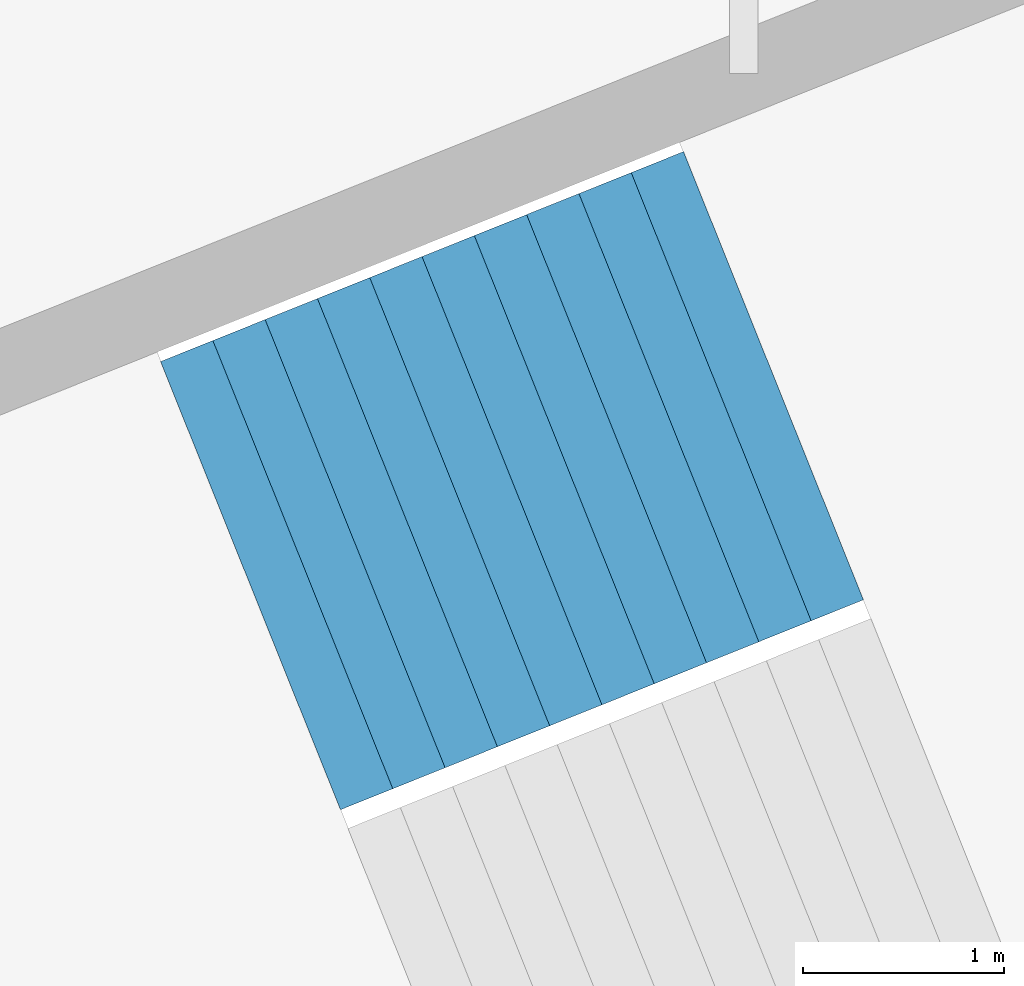
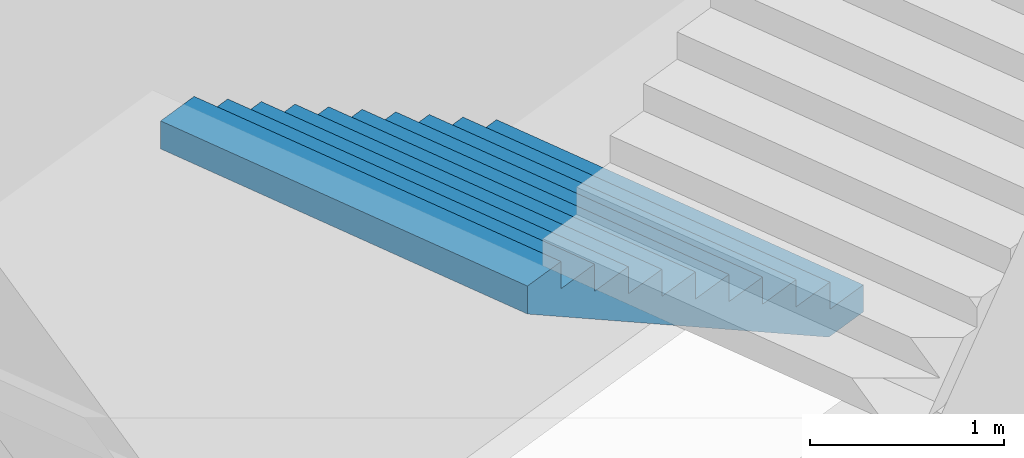
# One storey, part 67 of 73: 1 stair flight, 1 element without a shape of its own.
"""IFC4 building model written with IfcOpenShell, lengths in metres."""

from ifc_helpers import new_model, si_unit, direction, frame, origin, place, context, subcontext, project, spatial, triangles, material, type_object, element, aggregate, save


model = new_model("IFC4")

# Units and contexts
model_context = context("Model", 3, precision=1e-05, world=origin(), true_north=direction((0.0, 1.0)))
body_context = subcontext(model_context, "Body", "Model", "MODEL_VIEW")
ifc_project = project(units=[si_unit("LENGTHUNIT", "METRE"), si_unit("AREAUNIT", "SQUARE_METRE"), si_unit("VOLUMEUNIT", "CUBIC_METRE"), si_unit("PLANEANGLEUNIT", "RADIAN"), si_unit("MASSUNIT", "GRAM", prefix="KILO")], contexts=[model_context])

# Site, building, storey
site_placement = place(None, origin())
site = spatial("IfcSite", under=ifc_project, at=site_placement, CompositionType="ELEMENT")
building_placement = place(site_placement, origin())
building = spatial("IfcBuilding", under=site, at=building_placement, Name="Lantaw Convention Tower", CompositionType="ELEMENT")
storey_placement = place(building_placement, frame((0.0, 0.0, 14.5)))
storey = spatial("IfcBuildingStorey", under=building, at=storey_placement, Name="L02", CompositionType="ELEMENT", Elevation=14.5)

# Stair, stair flight
ifc_material = material(Name="Concrete C35/45", Category="concrete")
stair_type = type_object("IfcStairType", Name="Exit stair 2400 riser 170.45 in 4 flights", PredefinedType="HALF_TURN_STAIR", material=ifc_material)
stair_placement = place(storey_placement, origin())
stair = element("IfcStair", 1, at=stair_placement, inside=storey, type_object=stair_type, Name="Podium exit stair P2 L02", PredefinedType="HALF_TURN_STAIR")
stair_flight_type = type_object("IfcStairFlightType", Name="Stair flight 2400 riser 170.45", PredefinedType="STRAIGHT", material=ifc_material)
stair_flight_placement = place(storey_placement, frame((38.39794921875, 16.761474609375, 1.875), z_axis=(0.0, 0.0, 1.0), x_axis=(-0.928015168305, -0.372542410198, 0.0)))
stair_flight = element("IfcStairFlight", 2, at=stair_flight_placement, type_object=stair_flight_type, Name="P2 flight 2", NumberOfRisers=11, NumberOfTreads=10, PredefinedType="STRAIGHT", RiserHeight=0.170454545, TreadLength=0.28, context=body_context, shape_type="Tessellation", body=[
    triangles([(0.0, 1.199951171875, 0.0), (0.0, 1.199951171875, 0.170454545), (0.28, 1.199951171875, 0.0), (0.28, 1.199951171875, 0.170454545), (0.28, 1.199951171875, 0.34090909), (0.28827876332691904, 1.199951171875, 0.0), (0.28827876332691904, 1.199951171875, 0.34090909), (0.56, 1.199951171875, 0.16541471344266906), (0.56, 1.199951171875, 0.34090909), (0.56, 1.199951171875, 0.511363635), (0.8400000000000001, 1.199951171875, 0.335869258442669), (0.8400000000000001, 1.199951171875, 0.511363635), (0.8400000000000001, 1.199951171875, 0.68181818), (1.12, 1.199951171875, 0.506323803442669), (1.12, 1.199951171875, 0.68181818), (1.12, 1.199951171875, 0.8522727250000001), (1.4000000000000001, 1.199951171875, 0.676778348442669), (1.4000000000000001, 1.199951171875, 0.8522727250000001), (1.4000000000000001, 1.199951171875, 1.02272727), (1.6800000000000002, 1.199951171875, 0.847232893442669), (1.6800000000000002, 1.199951171875, 1.02272727), (1.6800000000000002, 1.199951171875, 1.193181815), (1.9600000000000002, 1.199951171875, 1.017687438442669), (1.9600000000000002, 1.199951171875, 1.193181815), (1.9600000000000002, 1.199951171875, 1.36363636), (2.24, 1.199951171875, 1.188141983442669), (2.24, 1.199951171875, 1.36363636), (2.24, 1.199951171875, 1.5340909050000002), (2.5200000000000005, 1.199951171875, 1.358596528442669), (2.5200000000000005, 1.199951171875, 1.5340909050000002), (2.5200000000000005, 1.199951171875, 1.7045454500000001), (2.8000000000000003, 1.199951171875, 1.529051073442669), (2.8000000000000003, 1.199951171875, 1.7045454500000001), (0.0, -1.199951171875, 0.0), (0.0, -1.199951171875, 0.170454545), (0.28, -1.199951171875, 0.0), (0.28, -1.199951171875, 0.170454545), (0.28, -1.199951171875, 0.34090909), (0.28827876332691904, -1.199951171875, 0.0), (0.28827876332691904, -1.199951171875, 0.34090909), (0.56, -1.199951171875, 0.16541471344266906), (0.56, -1.199951171875, 0.34090909), (0.56, -1.199951171875, 0.511363635), (0.8400000000000001, -1.199951171875, 0.335869258442669), (0.8400000000000001, -1.199951171875, 0.511363635), (0.8400000000000001, -1.199951171875, 0.68181818), (1.12, -1.199951171875, 0.506323803442669), (1.12, -1.199951171875, 0.68181818), (1.12, -1.199951171875, 0.8522727250000001), (1.4000000000000001, -1.199951171875, 0.676778348442669), (1.4000000000000001, -1.199951171875, 0.8522727250000001), (1.4000000000000001, -1.199951171875, 1.02272727), (1.6800000000000002, -1.199951171875, 0.847232893442669), (1.6800000000000002, -1.199951171875, 1.02272727), (1.6800000000000002, -1.199951171875, 1.193181815), (1.9600000000000002, -1.199951171875, 1.017687438442669), (1.9600000000000002, -1.199951171875, 1.193181815), (1.9600000000000002, -1.199951171875, 1.36363636), (2.24, -1.199951171875, 1.188141983442669), (2.24, -1.199951171875, 1.36363636), (2.24, -1.199951171875, 1.5340909050000002), (2.5200000000000005, -1.199951171875, 1.358596528442669), (2.5200000000000005, -1.199951171875, 1.5340909050000002), (2.5200000000000005, -1.199951171875, 1.7045454500000001), (2.8000000000000003, -1.199951171875, 1.529051073442669), (2.8000000000000003, -1.199951171875, 1.7045454500000001), (0.0, 0.239990234375, 0.170454545), (0.0, 0.239990234375, 0.0), (0.0, 0.1199951171875, 0.170454545), (0.0, 0.1199951171875, 0.0), (0.0, 0.0, 0.170454545), (0.0, 0.0, 0.0), (0.0, -0.1199951171875, 0.170454545), (0.0, -0.1199951171875, 0.0), (0.0, -0.239990234375, 0.170454545), (0.0, -0.239990234375, 0.0), (0.28, 0.239990234375, 0.34090909), (0.28, 0.239990234375, 0.170454545), (0.28, 0.1199951171875, 0.34090909), (0.28, 0.1199951171875, 0.170454545), (0.28, 0.0, 0.34090909), (0.28, 0.0, 0.170454545), (0.28, -0.1199951171875, 0.34090909), (0.28, -0.1199951171875, 0.170454545), (0.28, -0.239990234375, 0.34090909), (0.28, -0.239990234375, 0.170454545), (0.56, 0.239990234375, 0.511363635), (0.56, 0.239990234375, 0.34090909), (0.56, 0.1199951171875, 0.511363635), (0.56, 0.1199951171875, 0.34090909), (0.56, 0.0, 0.511363635), (0.56, 0.0, 0.34090909), (0.56, -0.1199951171875, 0.511363635), (0.56, -0.1199951171875, 0.34090909), (0.56, -0.239990234375, 0.511363635), (0.56, -0.239990234375, 0.34090909), (0.8400000000000001, 0.239990234375, 0.68181818), (0.8400000000000001, 0.239990234375, 0.511363635), (0.8400000000000001, 0.1199951171875, 0.68181818), (0.8400000000000001, 0.1199951171875, 0.511363635), (0.8400000000000001, 0.0, 0.68181818), (0.8400000000000001, 0.0, 0.511363635), (0.8400000000000001, -0.1199951171875, 0.68181818), (0.8400000000000001, -0.1199951171875, 0.511363635), (0.8400000000000001, -0.239990234375, 0.68181818), (0.8400000000000001, -0.239990234375, 0.511363635), (1.12, 0.239990234375, 0.8522727250000001), (1.12, 0.239990234375, 0.68181818), (1.12, 0.1199951171875, 0.8522727250000001), (1.12, 0.1199951171875, 0.68181818), (1.12, 0.0, 0.8522727250000001), (1.12, 0.0, 0.68181818), (1.12, -0.1199951171875, 0.8522727250000001), (1.12, -0.1199951171875, 0.68181818), (1.12, -0.239990234375, 0.8522727250000001), (1.12, -0.239990234375, 0.68181818), (1.4000000000000001, 0.239990234375, 1.02272727), (1.4000000000000001, 0.239990234375, 0.8522727250000001), (1.4000000000000001, 0.1199951171875, 1.02272727), (1.4000000000000001, 0.1199951171875, 0.8522727250000001), (1.4000000000000001, 0.0, 1.02272727), (1.4000000000000001, 0.0, 0.8522727250000001), (1.4000000000000001, -0.1199951171875, 1.02272727), (1.4000000000000001, -0.1199951171875, 0.8522727250000001), (1.4000000000000001, -0.239990234375, 1.02272727), (1.4000000000000001, -0.239990234375, 0.8522727250000001), (1.6800000000000002, 0.239990234375, 1.193181815), (1.6800000000000002, 0.239990234375, 1.02272727), (1.6800000000000002, 0.1199951171875, 1.193181815), (1.6800000000000002, 0.1199951171875, 1.02272727), (1.6800000000000002, 0.0, 1.193181815), (1.6800000000000002, 0.0, 1.02272727), (1.6800000000000002, -0.1199951171875, 1.193181815), (1.6800000000000002, -0.1199951171875, 1.02272727), (1.6800000000000002, -0.239990234375, 1.193181815), (1.6800000000000002, -0.239990234375, 1.02272727), (1.9600000000000002, 0.239990234375, 1.36363636), (1.9600000000000002, 0.239990234375, 1.193181815), (1.9600000000000002, 0.1199951171875, 1.36363636), (1.9600000000000002, 0.1199951171875, 1.193181815), (1.9600000000000002, 0.0, 1.36363636), (1.9600000000000002, 0.0, 1.193181815), (1.9600000000000002, -0.1199951171875, 1.36363636), (1.9600000000000002, -0.1199951171875, 1.193181815), (1.9600000000000002, -0.239990234375, 1.36363636), (1.9600000000000002, -0.239990234375, 1.193181815), (2.24, 0.239990234375, 1.5340909050000002), (2.24, 0.239990234375, 1.36363636), (2.24, 0.1199951171875, 1.5340909050000002), (2.24, 0.1199951171875, 1.36363636), (2.24, 0.0, 1.5340909050000002), (2.24, 0.0, 1.36363636), (2.24, -0.1199951171875, 1.5340909050000002), (2.24, -0.1199951171875, 1.36363636), (2.24, -0.239990234375, 1.5340909050000002), (2.24, -0.239990234375, 1.36363636), (2.5200000000000005, 0.239990234375, 1.7045454500000001), (2.5200000000000005, 0.239990234375, 1.5340909050000002), (2.5200000000000005, 0.1199951171875, 1.7045454500000001), (2.5200000000000005, 0.1199951171875, 1.5340909050000002), (2.5200000000000005, 0.0, 1.7045454500000001), (2.5200000000000005, 0.0, 1.5340909050000002), (2.5200000000000005, -0.1199951171875, 1.7045454500000001), (2.5200000000000005, -0.1199951171875, 1.5340909050000002), (2.5200000000000005, -0.239990234375, 1.7045454500000001), (2.5200000000000005, -0.239990234375, 1.5340909050000002), (0.28827876332691904, 0.239990234375, 0.34090909), (0.28827876332691904, 0.1199951171875, 0.34090909), (0.28827876332691904, 0.0, 0.34090909), (0.28827876332691904, -0.1199951171875, 0.34090909), (0.28827876332691904, -0.239990234375, 0.34090909), (2.8000000000000003, 0.239990234375, 1.7045454500000001), (2.8000000000000003, 0.1199951171875, 1.7045454500000001), (2.8000000000000003, 0.0, 1.7045454500000001), (2.8000000000000003, -0.1199951171875, 1.7045454500000001), (2.8000000000000003, -0.239990234375, 1.7045454500000001), (2.8000000000000003, 0.239990234375, 1.5290510734426692), (2.8000000000000003, 0.1199951171875, 1.5290510734426692), (2.8000000000000003, 0.0, 1.5290510734426692), (2.8000000000000003, -0.1199951171875, 1.5290510734426692), (2.8000000000000003, -0.239990234375, 1.5290510734426692), (2.5200000000000005, 0.239990234375, 1.358596528442669), (2.5200000000000005, 0.1199951171875, 1.358596528442669), (2.5200000000000005, 0.0, 1.358596528442669), (2.5200000000000005, -0.1199951171875, 1.358596528442669), (2.5200000000000005, -0.239990234375, 1.358596528442669), (2.24, 0.239990234375, 1.188141983442669), (2.24, 0.1199951171875, 1.188141983442669), (2.24, 0.0, 1.188141983442669), (2.24, -0.1199951171875, 1.188141983442669), (2.24, -0.239990234375, 1.188141983442669), (1.9600000000000002, 0.239990234375, 1.017687438442669), (1.9600000000000002, 0.1199951171875, 1.017687438442669), (1.9600000000000002, 0.0, 1.017687438442669), (1.9600000000000002, -0.1199951171875, 1.017687438442669), (1.9600000000000002, -0.239990234375, 1.017687438442669), (1.6800000000000002, 0.239990234375, 0.847232893442669), (1.6800000000000002, 0.1199951171875, 0.847232893442669), (1.6800000000000002, 0.0, 0.847232893442669), (1.6800000000000002, -0.1199951171875, 0.847232893442669), (1.6800000000000002, -0.239990234375, 0.847232893442669), (1.4000000000000001, 0.239990234375, 0.676778348442669), (1.4000000000000001, 0.1199951171875, 0.676778348442669), (1.4000000000000001, 0.0, 0.676778348442669), (1.4000000000000001, -0.1199951171875, 0.676778348442669), (1.4000000000000001, -0.239990234375, 0.676778348442669), (1.12, 0.239990234375, 0.506323803442669), (1.12, 0.1199951171875, 0.506323803442669), (1.12, 0.0, 0.506323803442669), (1.12, -0.1199951171875, 0.506323803442669), (1.12, -0.239990234375, 0.506323803442669), (0.8400000000000001, 0.239990234375, 0.335869258442669), (0.8400000000000001, 0.1199951171875, 0.335869258442669), (0.8400000000000001, 0.0, 0.335869258442669), (0.8400000000000001, -0.1199951171875, 0.335869258442669), (0.8400000000000001, -0.239990234375, 0.335869258442669), (0.56, 0.239990234375, 0.16541471344266906), (0.56, 0.1199951171875, 0.16541471344266906), (0.56, 0.0, 0.16541471344266906), (0.56, -0.1199951171875, 0.16541471344266906), (0.56, -0.239990234375, 0.16541471344266906), (0.28827876332691904, 0.239990234375, 0.0), (0.28827876332691904, 0.1199951171875, 0.0), (0.28827876332691904, 0.0, 0.0), (0.28827876332691904, -0.1199951171875, 0.0), (0.28827876332691904, -0.239990234375, 0.0), (0.28, 0.239990234375, 0.0), (0.28, 0.1199951171875, 0.0), (0.28, 0.0, 0.0), (0.28, -0.1199951171875, 0.0), (0.28, -0.239990234375, 0.0)], [[1, 4, 3], [1, 2, 4], [3, 4, 6], [4, 7, 6], [4, 5, 7], [6, 9, 8], [6, 7, 9], [8, 9, 11], [9, 12, 11], [9, 10, 12], [11, 12, 14], [12, 15, 14], [12, 13, 15], [14, 15, 17], [15, 18, 17], [15, 16, 18], [17, 18, 20], [18, 21, 20], [18, 19, 21], [20, 21, 23], [21, 24, 23], [21, 22, 24], [23, 24, 26], [24, 27, 26], [24, 25, 27], [26, 27, 29], [27, 30, 29], [27, 28, 30], [29, 30, 32], [30, 33, 32], [30, 31, 33], [34, 36, 37], [34, 37, 35], [36, 39, 37], [37, 39, 40], [37, 40, 38], [39, 41, 42], [39, 42, 40], [41, 44, 42], [42, 44, 45], [42, 45, 43], [44, 47, 45], [45, 47, 48], [45, 48, 46], [47, 50, 48], [48, 50, 51], [48, 51, 49], [50, 53, 51], [51, 53, 54], [51, 54, 52], [53, 56, 54], [54, 56, 57], [54, 57, 55], [56, 59, 57], [57, 59, 60], [57, 60, 58], [59, 62, 60], [60, 62, 63], [60, 63, 61], [62, 65, 63], [63, 65, 66], [63, 66, 64], [1, 67, 2], [1, 68, 67], [68, 69, 67], [68, 70, 69], [70, 71, 69], [70, 72, 71], [72, 73, 71], [72, 74, 73], [74, 75, 73], [74, 76, 75], [76, 35, 75], [76, 34, 35], [4, 77, 5], [4, 78, 77], [78, 79, 77], [78, 80, 79], [80, 81, 79], [80, 82, 81], [82, 83, 81], [82, 84, 83], [84, 85, 83], [84, 86, 85], [86, 38, 85], [86, 37, 38], [9, 87, 10], [9, 88, 87], [88, 89, 87], [88, 90, 89], [90, 91, 89], [90, 92, 91], [92, 93, 91], [92, 94, 93], [94, 95, 93], [94, 96, 95], [96, 43, 95], [96, 42, 43], [12, 97, 13], [12, 98, 97], [98, 99, 97], [98, 100, 99], [100, 101, 99], [100, 102, 101], [102, 103, 101], [102, 104, 103], [104, 105, 103], [104, 106, 105], [106, 46, 105], [106, 45, 46], [15, 107, 16], [15, 108, 107], [108, 109, 107], [108, 110, 109], [110, 111, 109], [110, 112, 111], [112, 113, 111], [112, 114, 113], [114, 115, 113], [114, 116, 115], [116, 49, 115], [116, 48, 49], [18, 117, 19], [18, 118, 117], [118, 119, 117], [118, 120, 119], [120, 121, 119], [120, 122, 121], [122, 123, 121], [122, 124, 123], [124, 125, 123], [124, 126, 125], [126, 52, 125], [126, 51, 52], [21, 127, 22], [21, 128, 127], [128, 129, 127], [128, 130, 129], [130, 131, 129], [130, 132, 131], [132, 133, 131], [132, 134, 133], [134, 135, 133], [134, 136, 135], [136, 55, 135], [136, 54, 55], [24, 137, 25], [24, 138, 137], [138, 139, 137], [138, 140, 139], [140, 141, 139], [140, 142, 141], [142, 143, 141], [142, 144, 143], [144, 145, 143], [144, 146, 145], [146, 58, 145], [146, 57, 58], [27, 147, 28], [27, 148, 147], [148, 149, 147], [148, 150, 149], [150, 151, 149], [150, 152, 151], [152, 153, 151], [152, 154, 153], [154, 155, 153], [154, 156, 155], [156, 61, 155], [156, 60, 61], [30, 157, 31], [30, 158, 157], [158, 159, 157], [158, 160, 159], [160, 161, 159], [160, 162, 161], [162, 163, 161], [162, 164, 163], [164, 165, 163], [164, 166, 165], [166, 64, 165], [166, 63, 64], [2, 78, 4], [2, 67, 78], [67, 80, 78], [67, 69, 80], [69, 82, 80], [69, 71, 82], [71, 84, 82], [71, 73, 84], [73, 86, 84], [73, 75, 86], [75, 37, 86], [75, 35, 37], [5, 167, 7], [5, 77, 167], [77, 168, 167], [77, 79, 168], [79, 169, 168], [79, 81, 169], [81, 170, 169], [81, 83, 170], [83, 171, 170], [83, 85, 171], [85, 40, 171], [85, 38, 40], [7, 88, 9], [7, 167, 88], [167, 90, 88], [167, 168, 90], [168, 92, 90], [168, 169, 92], [169, 94, 92], [169, 170, 94], [170, 96, 94], [170, 171, 96], [171, 42, 96], [171, 40, 42], [10, 98, 12], [10, 87, 98], [87, 100, 98], [87, 89, 100], [89, 102, 100], [89, 91, 102], [91, 104, 102], [91, 93, 104], [93, 106, 104], [93, 95, 106], [95, 45, 106], [95, 43, 45], [13, 108, 15], [13, 97, 108], [97, 110, 108], [97, 99, 110], [99, 112, 110], [99, 101, 112], [101, 114, 112], [101, 103, 114], [103, 116, 114], [103, 105, 116], [105, 48, 116], [105, 46, 48], [16, 118, 18], [16, 107, 118], [107, 120, 118], [107, 109, 120], [109, 122, 120], [109, 111, 122], [111, 124, 122], [111, 113, 124], [113, 126, 124], [113, 115, 126], [115, 51, 126], [115, 49, 51], [19, 128, 21], [19, 117, 128], [117, 130, 128], [117, 119, 130], [119, 132, 130], [119, 121, 132], [121, 134, 132], [121, 123, 134], [123, 136, 134], [123, 125, 136], [125, 54, 136], [125, 52, 54], [22, 138, 24], [22, 127, 138], [127, 140, 138], [127, 129, 140], [129, 142, 140], [129, 131, 142], [131, 144, 142], [131, 133, 144], [133, 146, 144], [133, 135, 146], [135, 57, 146], [135, 55, 57], [25, 148, 27], [25, 137, 148], [137, 150, 148], [137, 139, 150], [139, 152, 150], [139, 141, 152], [141, 154, 152], [141, 143, 154], [143, 156, 154], [143, 145, 156], [145, 60, 156], [145, 58, 60], [28, 158, 30], [28, 147, 158], [147, 160, 158], [147, 149, 160], [149, 162, 160], [149, 151, 162], [151, 164, 162], [151, 153, 164], [153, 166, 164], [153, 155, 166], [155, 63, 166], [155, 61, 63], [31, 172, 33], [31, 157, 172], [157, 173, 172], [157, 159, 173], [159, 174, 173], [159, 161, 174], [161, 175, 174], [161, 163, 175], [163, 176, 175], [163, 165, 176], [165, 66, 176], [165, 64, 66], [33, 177, 32], [33, 172, 177], [172, 178, 177], [172, 173, 178], [173, 179, 178], [173, 174, 179], [174, 180, 179], [174, 175, 180], [175, 181, 180], [175, 176, 181], [176, 65, 181], [176, 66, 65], [32, 182, 29], [32, 177, 182], [177, 183, 182], [177, 178, 183], [178, 184, 183], [178, 179, 184], [179, 185, 184], [179, 180, 185], [180, 186, 185], [180, 181, 186], [181, 62, 186], [181, 65, 62], [29, 187, 26], [29, 182, 187], [182, 188, 187], [182, 183, 188], [183, 189, 188], [183, 184, 189], [184, 190, 189], [184, 185, 190], [185, 191, 190], [185, 186, 191], [186, 59, 191], [186, 62, 59], [26, 192, 23], [26, 187, 192], [187, 193, 192], [187, 188, 193], [188, 194, 193], [188, 189, 194], [189, 195, 194], [189, 190, 195], [190, 196, 195], [190, 191, 196], [191, 56, 196], [191, 59, 56], [23, 197, 20], [23, 192, 197], [192, 198, 197], [192, 193, 198], [193, 199, 198], [193, 194, 199], [194, 200, 199], [194, 195, 200], [195, 201, 200], [195, 196, 201], [196, 53, 201], [196, 56, 53], [20, 202, 17], [20, 197, 202], [197, 203, 202], [197, 198, 203], [198, 204, 203], [198, 199, 204], [199, 205, 204], [199, 200, 205], [200, 206, 205], [200, 201, 206], [201, 50, 206], [201, 53, 50], [17, 207, 14], [17, 202, 207], [202, 208, 207], [202, 203, 208], [203, 209, 208], [203, 204, 209], [204, 210, 209], [204, 205, 210], [205, 211, 210], [205, 206, 211], [206, 47, 211], [206, 50, 47], [14, 212, 11], [14, 207, 212], [207, 213, 212], [207, 208, 213], [208, 214, 213], [208, 209, 214], [209, 215, 214], [209, 210, 215], [210, 216, 215], [210, 211, 216], [211, 44, 216], [211, 47, 44], [11, 217, 8], [11, 212, 217], [212, 218, 217], [212, 213, 218], [213, 219, 218], [213, 214, 219], [214, 220, 219], [214, 215, 220], [215, 221, 220], [215, 216, 221], [216, 41, 221], [216, 44, 41], [8, 222, 6], [8, 217, 222], [217, 223, 222], [217, 218, 223], [218, 224, 223], [218, 219, 224], [219, 225, 224], [219, 220, 225], [220, 226, 225], [220, 221, 226], [221, 39, 226], [221, 41, 39], [6, 227, 3], [6, 222, 227], [222, 228, 227], [222, 223, 228], [223, 229, 228], [223, 224, 229], [224, 230, 229], [224, 225, 230], [225, 231, 230], [225, 226, 231], [226, 36, 231], [226, 39, 36], [3, 68, 1], [3, 227, 68], [227, 70, 68], [227, 228, 70], [228, 72, 70], [228, 229, 72], [229, 74, 72], [229, 230, 74], [230, 76, 74], [230, 231, 76], [231, 34, 76], [231, 36, 34]], closed=True),
])
aggregate(stair, [stair_flight])

save(model, "model.ifc")
